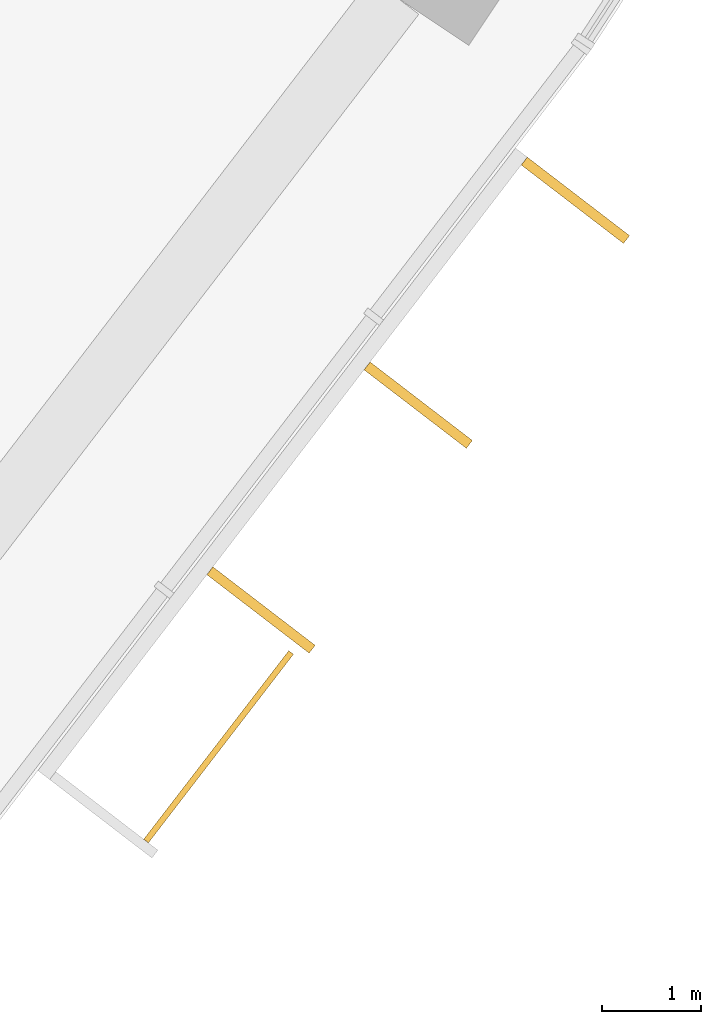
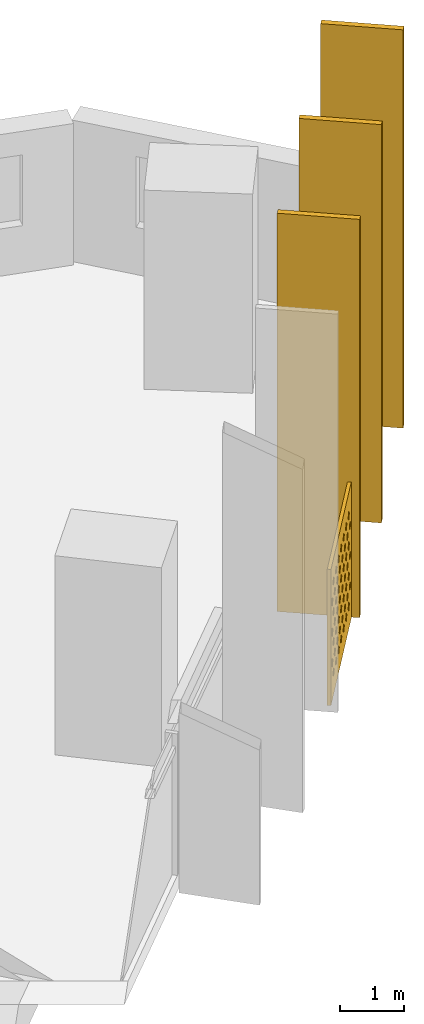
# One storey, part 31 of 31: 4 shading devices.
"""IFC4 building model written with IfcOpenShell, lengths in metres."""

import ifcopenshell
import ifcopenshell.guid

model = None  # the IFC model being written
_history = None  # IfcOwnerHistory: only IFC2X3 demands one
_inside = {}  # id of a spatial element -> (the spatial element, [elements in it])
_under = {}  # id of a project, library or spatial element -> (it, [spatial elements below it])
_declared = {}  # id of a project -> (the project, [libraries it declares])
_typed = {}  # id of a type object -> (the type object, [elements of that type])
_made_of = {}  # id of a material, layer set ... -> (it, [elements and type objects made of it])


def new_model(schema):
    """Start an empty IFC model of exactly this schema.

    Asked for "IFC4X3", IfcOpenShell would pick the latest addendum, in which some entities
    have other attributes; the version numbers below select the first issue.
    IFC2X3 requires an IfcOwnerHistory on every rooted entity: one is made here for all.
    """
    global model, _history
    if schema == "IFC4X3":
        model = ifcopenshell.file(schema_version=(4, 3, 0, 0))
    else:
        model = ifcopenshell.file(schema=schema)
    _inside.clear()
    _under.clear()
    _declared.clear()
    _typed.clear()
    _made_of.clear()
    _history = None
    if model.schema == "IFC2X3":
        org = make("IfcOrganization", Name="unknown")
        user = make(
            "IfcPersonAndOrganization",
            ThePerson=make("IfcPerson", FamilyName="unknown"),
            TheOrganization=org,
        )
        app = make(
            "IfcApplication",
            ApplicationDeveloper=org,
            Version="unknown",
            ApplicationFullName="unknown",
            ApplicationIdentifier="unknown",
        )
        _history = make(
            "IfcOwnerHistory",
            OwningUser=user,
            OwningApplication=app,
            ChangeAction="ADDED",
            CreationDate=0,
        )
    return model


def make(cls, **values):
    """One entity of the class cls with the attributes given. An attribute that is None is left unset."""
    return model.create_entity(
        cls, **{name: value for name, value in values.items() if value is not None}
    )


def rooted(cls, **values):
    """An entity with a GlobalId (a new one), such as an element, a storey or a relation."""
    return make(cls, GlobalId=ifcopenshell.guid.new(), OwnerHistory=_history, **values)


def si_unit(unit_type, name, prefix=None):
    """IfcSIUnit, for example si_unit("LENGTHUNIT", "METRE", prefix="MILLI")."""
    return make("IfcSIUnit", UnitType=unit_type, Prefix=prefix, Name=name)


def assignment(units):
    """IfcUnitAssignment: the units of a project."""
    return None if units is None else make("IfcUnitAssignment", Units=units)


def point(xyz):
    """IfcCartesianPoint."""
    return None if xyz is None else make("IfcCartesianPoint", Coordinates=xyz)


def direction(xyz):
    """IfcDirection."""
    return None if xyz is None else make("IfcDirection", DirectionRatios=xyz)


def frame(location, z_axis=None, x_axis=None):
    """IfcAxis2Placement3D, a coordinate frame: its origin and axes. An axis left out is left unset."""
    return make(
        "IfcAxis2Placement3D",
        Location=point(location),
        Axis=direction(z_axis),
        RefDirection=direction(x_axis),
    )


def frame_2d(location, x_axis=None):
    """IfcAxis2Placement2D, a coordinate frame in the plane: its origin and x axis."""
    return make(
        "IfcAxis2Placement2D", Location=point(location), RefDirection=direction(x_axis)
    )


def origin():
    """The frame at (0, 0, 0) with its axes left unset."""
    return frame((0.0, 0.0, 0.0))


def origin_2d():
    """The frame at (0, 0) in the plane with its x axis left unset."""
    return frame_2d((0.0, 0.0))


def place(relative_to, where):
    """IfcLocalPlacement: puts the frame where relative to a parent placement (None: the world)."""
    return make(
        "IfcLocalPlacement", PlacementRelTo=relative_to, RelativePlacement=where
    )


def context(
    kind, dimensions, precision=None, world=None, true_north=None, identifier=None
):
    """IfcGeometricRepresentationContext, for example the 3D "Model" context."""
    return make(
        "IfcGeometricRepresentationContext",
        ContextIdentifier=identifier,
        ContextType=kind,
        CoordinateSpaceDimension=dimensions,
        Precision=precision,
        WorldCoordinateSystem=world,
        TrueNorth=true_north,
    )


def subcontext(parent, identifier, kind, view, scale=None):
    """IfcGeometricRepresentationSubContext, for example "Body" below "Model"."""
    return make(
        "IfcGeometricRepresentationSubContext",
        ContextIdentifier=identifier,
        ContextType=kind,
        ParentContext=parent,
        TargetScale=scale,
        TargetView=view,
    )


def project(units=None, contexts=None):
    """IfcProject with its units and contexts."""
    return rooted(
        "IfcProject",
        Name="project",
        RepresentationContexts=contexts,
        UnitsInContext=assignment(units),
    )


def spatial(cls, under=None, at=None, **own):
    """A site, building, storey or space (cls), placed at a placement, below another one or the project."""
    s = rooted(cls, ObjectPlacement=at, **own)
    if under is not None:
        _under.setdefault(under.id(), (under, []))[1].append(s)
    return s


def polyline(points):
    """IfcPolyline through the points."""
    return make("IfcPolyline", Points=[point(p) for p in points])


def profile(cls, at=None, kind="AREA", **sizes):
    """A parametric profile (cls). Its sizes go by their IFC names, for example OverallWidth=200.0."""
    return make(cls, ProfileType=kind, Position=at, **sizes)


def rectangle(**sizes):
    """IfcRectangleProfileDef."""
    return profile("IfcRectangleProfileDef", **sizes)


def outline(outer, holes=None, kind="AREA"):
    """IfcArbitraryClosedProfileDef: a profile drawn as a closed curve; with holes, ...WithVoids."""
    if holes is None:
        return make("IfcArbitraryClosedProfileDef", ProfileType=kind, OuterCurve=outer)
    return make(
        "IfcArbitraryProfileDefWithVoids",
        ProfileType=kind,
        OuterCurve=outer,
        InnerCurves=holes,
    )


def extrude(swept, where, along, depth):
    """IfcExtrudedAreaSolid: the profile swept, set in the frame where, extruded along a direction by depth."""
    return make(
        "IfcExtrudedAreaSolid",
        SweptArea=swept,
        Position=where,
        ExtrudedDirection=direction(along),
        Depth=depth,
    )


def shape(context_of_items, identifier, shape_type, items):
    """IfcShapeRepresentation: the items that make up one representation, for example the "Body"."""
    return make(
        "IfcShapeRepresentation",
        ContextOfItems=context_of_items,
        RepresentationIdentifier=identifier,
        RepresentationType=shape_type,
        Items=items,
    )


def material(Name=None, Category=None):
    """IfcMaterial."""
    return make("IfcMaterial", Name=Name, Category=Category)


def material_profile(
    of_material, cross_section, Name=None, Category=None, Priority=None
):
    """IfcMaterialProfile: a cross section and its material."""
    return make(
        "IfcMaterialProfile",
        Name=Name,
        Material=of_material,
        Profile=cross_section,
        Priority=Priority,
        Category=Category,
    )


def profile_set(profiles, Name=None, composite=None):
    """IfcMaterialProfileSet."""
    return make(
        "IfcMaterialProfileSet",
        Name=Name,
        MaterialProfiles=profiles,
        CompositeProfile=composite,
    )


def made_of(thing, what):
    """Note that an element or type object is made of a material, layer set ...; save() writes the relation."""
    if what is not None:
        _made_of.setdefault(what.id(), (what, []))[1].append(thing)
    return thing


def type_object(cls, material=None, **own):
    """A type object (cls), such as IfcWallType, which elements share."""
    return made_of(rooted(cls, **own), material)


def element(
    cls,
    number,
    at=None,
    inside=None,
    cuts=None,
    type_object=None,
    material=None,
    context=None,
    identifier="Body",
    shape_type=None,
    held_by="IfcProductDefinitionShape",
    body=None,
    shapes=None,
    **own,
):
    """One element of the class cls, such as IfcWall. Its Tag is "e" and its number.

    at: its placement. inside: the storey or other place that contains it. cuts: it is an
    opening in that element (IfcRelVoidsElement). A single representation is given by context,
    identifier, shape_type and body (its items); several are given by shapes. held_by: the class
    of the entity that holds the representations. save() writes the other relations.
    """
    e = rooted(cls, Tag="e%d" % number, ObjectPlacement=at, **own)
    if body is not None:
        shapes = [shape(context, identifier, shape_type, body)]
    if shapes is not None:
        e.Representation = make(held_by, Representations=shapes)
    if inside is not None:
        _inside.setdefault(inside.id(), (inside, []))[1].append(e)
    if cuts is not None:
        rooted(
            "IfcRelVoidsElement", RelatingBuildingElement=cuts, RelatedOpeningElement=e
        )
    if type_object is not None:
        _typed.setdefault(type_object.id(), (type_object, []))[1].append(e)
    return made_of(e, material)


def aggregate(whole, parts):
    """IfcRelAggregates: a whole, such as a stair, and the parts it consists of."""
    return rooted("IfcRelAggregates", RelatingObject=whole, RelatedObjects=parts)


def save(model, path):
    """Write the relations noted so far, then the file.

    IfcRelAggregates (storeys below a building ...), IfcRelContainedInSpatialStructure (elements
    in a storey), IfcRelDefinesByType, IfcRelAssociatesMaterial and IfcRelDeclares: one each for
    every whole, place, type object, material and project.
    """
    for whole, parts in _under.values():
        aggregate(whole, parts)
    for where, things in _inside.values():
        rooted(
            "IfcRelContainedInSpatialStructure",
            RelatedElements=things,
            RelatingStructure=where,
        )
    for kind, things in _typed.values():
        rooted("IfcRelDefinesByType", RelatedObjects=things, RelatingType=kind)
    for what, things in _made_of.values():
        rooted("IfcRelAssociatesMaterial", RelatedObjects=things, RelatingMaterial=what)
    for by, libraries in _declared.values():
        rooted("IfcRelDeclares", RelatingContext=by, RelatedDefinitions=libraries)
    model.write(path)


model = new_model("IFC4")

# Units and contexts
model_context = context("Model", 3, precision=1e-05, world=origin(), true_north=direction((0.0, 1.0)))
body_context = subcontext(model_context, "Body", "Model", "MODEL_VIEW")
ifc_project = project(units=[si_unit("LENGTHUNIT", "METRE"), si_unit("AREAUNIT", "SQUARE_METRE"), si_unit("VOLUMEUNIT", "CUBIC_METRE"), si_unit("PLANEANGLEUNIT", "RADIAN"), si_unit("MASSUNIT", "GRAM", prefix="KILO")], contexts=[model_context])

# Site, building, storey
site_placement = place(None, origin())
site = spatial("IfcSite", under=ifc_project, at=site_placement, CompositionType="ELEMENT")
building_placement = place(site_placement, origin())
building = spatial("IfcBuilding", under=site, at=building_placement, Name="Qamariyya Broadcast Tower", CompositionType="ELEMENT")
storey_placement = place(building_placement, frame((0.0, 0.0, 48.10009765625)))
storey = spatial("IfcBuildingStorey", under=building, at=storey_placement, Name="L08", CompositionType="ELEMENT", Elevation=48.10009765625)

# Shading devices
ifc_material_1 = material(Name="Perforated glazed terracotta", Category="masonry")
ifc_material_profile_1 = material_profile(ifc_material_1, outline(polyline([(-1.199951171875, -1.300048828125), (1.199951171875, -1.300048828125), (1.199951171875, 1.300048828125), (-1.199951171875, 1.300048828125), (-1.199951171875, -1.300048828125)]), holes=[polyline([(-0.81494140625, -0.86669921875), (-0.89990234375, -0.78173828125), (-0.985107421875, -0.86669921875), (-0.89990234375, -0.95166015625), (-0.81494140625, -0.86669921875)]), polyline([(-0.514892578125, -0.86669921875), (-0.60009765625, -0.78173828125), (-0.68505859375, -0.86669921875), (-0.60009765625, -0.95166015625), (-0.514892578125, -0.86669921875)]), polyline([(-0.215087890625, -0.86669921875), (-0.300048828125, -0.78173828125), (-0.385009765625, -0.86669921875), (-0.300048828125, -0.95166015625), (-0.215087890625, -0.86669921875)]), polyline([(0.0849609375, -0.86669921875), (0.0, -0.78173828125), (-0.0849609375, -0.86669921875), (0.0, -0.95166015625), (0.0849609375, -0.86669921875)]), polyline([(0.385009765625, -0.86669921875), (0.300048828125, -0.78173828125), (0.215087890625, -0.86669921875), (0.300048828125, -0.95166015625), (0.385009765625, -0.86669921875)]), polyline([(0.68505859375, -0.86669921875), (0.60009765625, -0.78173828125), (0.514892578125, -0.86669921875), (0.60009765625, -0.95166015625), (0.68505859375, -0.86669921875)]), polyline([(0.985107421875, -0.86669921875), (0.89990234375, -0.78173828125), (0.81494140625, -0.86669921875), (0.89990234375, -0.95166015625), (0.985107421875, -0.86669921875)]), polyline([(-0.965087890625, -0.577880859375), (-1.050048828125, -0.49267578125), (-1.135009765625, -0.577880859375), (-1.050048828125, -0.662841796875), (-0.965087890625, -0.577880859375)]), polyline([(-0.6650390625, -0.577880859375), (-0.75, -0.49267578125), (-0.8349609375, -0.577880859375), (-0.75, -0.662841796875), (-0.6650390625, -0.577880859375)]), polyline([(-0.364990234375, -0.577880859375), (-0.449951171875, -0.49267578125), (-0.534912109375, -0.577880859375), (-0.449951171875, -0.662841796875), (-0.364990234375, -0.577880859375)]), polyline([(-0.06494140625, -0.577880859375), (-0.14990234375, -0.49267578125), (-0.235107421875, -0.577880859375), (-0.14990234375, -0.662841796875), (-0.06494140625, -0.577880859375)]), polyline([(0.235107421875, -0.577880859375), (0.14990234375, -0.49267578125), (0.06494140625, -0.577880859375), (0.14990234375, -0.662841796875), (0.235107421875, -0.577880859375)]), polyline([(0.534912109375, -0.577880859375), (0.449951171875, -0.49267578125), (0.364990234375, -0.577880859375), (0.449951171875, -0.662841796875), (0.534912109375, -0.577880859375)]), polyline([(0.8349609375, -0.577880859375), (0.75, -0.49267578125), (0.6650390625, -0.577880859375), (0.75, -0.662841796875), (0.8349609375, -0.577880859375)]), polyline([(1.135009765625, -0.577880859375), (1.050048828125, -0.49267578125), (0.965087890625, -0.577880859375), (1.050048828125, -0.662841796875), (1.135009765625, -0.577880859375)]), polyline([(-0.81494140625, -0.288818359375), (-0.89990234375, -0.203857421875), (-0.985107421875, -0.288818359375), (-0.89990234375, -0.373779296875), (-0.81494140625, -0.288818359375)]), polyline([(-0.514892578125, -0.288818359375), (-0.60009765625, -0.203857421875), (-0.68505859375, -0.288818359375), (-0.60009765625, -0.373779296875), (-0.514892578125, -0.288818359375)]), polyline([(-0.215087890625, -0.288818359375), (-0.300048828125, -0.203857421875), (-0.385009765625, -0.288818359375), (-0.300048828125, -0.373779296875), (-0.215087890625, -0.288818359375)]), polyline([(0.0849609375, -0.288818359375), (0.0, -0.203857421875), (-0.0849609375, -0.288818359375), (0.0, -0.373779296875), (0.0849609375, -0.288818359375)]), polyline([(0.385009765625, -0.288818359375), (0.300048828125, -0.203857421875), (0.215087890625, -0.288818359375), (0.300048828125, -0.373779296875), (0.385009765625, -0.288818359375)]), polyline([(0.68505859375, -0.288818359375), (0.60009765625, -0.203857421875), (0.514892578125, -0.288818359375), (0.60009765625, -0.373779296875), (0.68505859375, -0.288818359375)]), polyline([(0.985107421875, -0.288818359375), (0.89990234375, -0.203857421875), (0.81494140625, -0.288818359375), (0.89990234375, -0.373779296875), (0.985107421875, -0.288818359375)]), polyline([(-0.965087890625, 0.0), (-1.050048828125, 0.0849609375), (-1.135009765625, 0.0), (-1.050048828125, -0.0849609375), (-0.965087890625, 0.0)]), polyline([(-0.6650390625, 0.0), (-0.75, 0.0849609375), (-0.8349609375, 0.0), (-0.75, -0.0849609375), (-0.6650390625, 0.0)]), polyline([(-0.364990234375, 0.0), (-0.449951171875, 0.0849609375), (-0.534912109375, 0.0), (-0.449951171875, -0.0849609375), (-0.364990234375, 0.0)]), polyline([(-0.06494140625, 0.0), (-0.14990234375, 0.0849609375), (-0.235107421875, 0.0), (-0.14990234375, -0.0849609375), (-0.06494140625, 0.0)]), polyline([(0.235107421875, 0.0), (0.14990234375, 0.0849609375), (0.06494140625, 0.0), (0.14990234375, -0.0849609375), (0.235107421875, 0.0)]), polyline([(0.534912109375, 0.0), (0.449951171875, 0.0849609375), (0.364990234375, 0.0), (0.449951171875, -0.0849609375), (0.534912109375, 0.0)]), polyline([(0.8349609375, 0.0), (0.75, 0.0849609375), (0.6650390625, 0.0), (0.75, -0.0849609375), (0.8349609375, 0.0)]), polyline([(1.135009765625, 0.0), (1.050048828125, 0.0849609375), (0.965087890625, 0.0), (1.050048828125, -0.0849609375), (1.135009765625, 0.0)]), polyline([(-0.81494140625, 0.288818359375), (-0.89990234375, 0.373779296875), (-0.985107421875, 0.288818359375), (-0.89990234375, 0.203857421875), (-0.81494140625, 0.288818359375)]), polyline([(-0.514892578125, 0.288818359375), (-0.60009765625, 0.373779296875), (-0.68505859375, 0.288818359375), (-0.60009765625, 0.203857421875), (-0.514892578125, 0.288818359375)]), polyline([(-0.215087890625, 0.288818359375), (-0.300048828125, 0.373779296875), (-0.385009765625, 0.288818359375), (-0.300048828125, 0.203857421875), (-0.215087890625, 0.288818359375)]), polyline([(0.0849609375, 0.288818359375), (0.0, 0.373779296875), (-0.0849609375, 0.288818359375), (0.0, 0.203857421875), (0.0849609375, 0.288818359375)]), polyline([(0.385009765625, 0.288818359375), (0.300048828125, 0.373779296875), (0.215087890625, 0.288818359375), (0.300048828125, 0.203857421875), (0.385009765625, 0.288818359375)]), polyline([(0.68505859375, 0.288818359375), (0.60009765625, 0.373779296875), (0.514892578125, 0.288818359375), (0.60009765625, 0.203857421875), (0.68505859375, 0.288818359375)]), polyline([(0.985107421875, 0.288818359375), (0.89990234375, 0.373779296875), (0.81494140625, 0.288818359375), (0.89990234375, 0.203857421875), (0.985107421875, 0.288818359375)]), polyline([(-0.965087890625, 0.577880859375), (-1.050048828125, 0.662841796875), (-1.135009765625, 0.577880859375), (-1.050048828125, 0.49267578125), (-0.965087890625, 0.577880859375)]), polyline([(-0.6650390625, 0.577880859375), (-0.75, 0.662841796875), (-0.8349609375, 0.577880859375), (-0.75, 0.49267578125), (-0.6650390625, 0.577880859375)]), polyline([(-0.364990234375, 0.577880859375), (-0.449951171875, 0.662841796875), (-0.534912109375, 0.577880859375), (-0.449951171875, 0.49267578125), (-0.364990234375, 0.577880859375)]), polyline([(-0.06494140625, 0.577880859375), (-0.14990234375, 0.662841796875), (-0.235107421875, 0.577880859375), (-0.14990234375, 0.49267578125), (-0.06494140625, 0.577880859375)]), polyline([(0.235107421875, 0.577880859375), (0.14990234375, 0.662841796875), (0.06494140625, 0.577880859375), (0.14990234375, 0.49267578125), (0.235107421875, 0.577880859375)]), polyline([(0.534912109375, 0.577880859375), (0.449951171875, 0.662841796875), (0.364990234375, 0.577880859375), (0.449951171875, 0.49267578125), (0.534912109375, 0.577880859375)]), polyline([(0.8349609375, 0.577880859375), (0.75, 0.662841796875), (0.6650390625, 0.577880859375), (0.75, 0.49267578125), (0.8349609375, 0.577880859375)]), polyline([(1.135009765625, 0.577880859375), (1.050048828125, 0.662841796875), (0.965087890625, 0.577880859375), (1.050048828125, 0.49267578125), (1.135009765625, 0.577880859375)]), polyline([(-0.81494140625, 0.86669921875), (-0.89990234375, 0.95166015625), (-0.985107421875, 0.86669921875), (-0.89990234375, 0.78173828125), (-0.81494140625, 0.86669921875)]), polyline([(-0.514892578125, 0.86669921875), (-0.60009765625, 0.95166015625), (-0.68505859375, 0.86669921875), (-0.60009765625, 0.78173828125), (-0.514892578125, 0.86669921875)]), polyline([(-0.215087890625, 0.86669921875), (-0.300048828125, 0.95166015625), (-0.385009765625, 0.86669921875), (-0.300048828125, 0.78173828125), (-0.215087890625, 0.86669921875)]), polyline([(0.0849609375, 0.86669921875), (0.0, 0.95166015625), (-0.0849609375, 0.86669921875), (0.0, 0.78173828125), (0.0849609375, 0.86669921875)]), polyline([(0.385009765625, 0.86669921875), (0.300048828125, 0.95166015625), (0.215087890625, 0.86669921875), (0.300048828125, 0.78173828125), (0.385009765625, 0.86669921875)]), polyline([(0.68505859375, 0.86669921875), (0.60009765625, 0.95166015625), (0.514892578125, 0.86669921875), (0.60009765625, 0.78173828125), (0.68505859375, 0.86669921875)]), polyline([(0.985107421875, 0.86669921875), (0.89990234375, 0.95166015625), (0.81494140625, 0.86669921875), (0.89990234375, 0.78173828125), (0.985107421875, 0.86669921875)])]))
ifc_profile_set_1 = profile_set([ifc_material_profile_1], Name="Perforated glazed terracotta")
shading_device_type_1 = type_object("IfcShadingDeviceType", Name="Perforated terracotta screen 2400 x 2600", PredefinedType="USERDEFINED", material=ifc_profile_set_1)
shading_device_placement = place(storey_placement, frame((62.4453125, -51.26513671875, 1.349853515625), z_axis=(0.792623989105, -0.60971076085, 0.0), x_axis=(0.60971076085, 0.792623989105, 0.0)))
element("IfcShadingDevice", 1, at=shading_device_placement, inside=storey, type_object=shading_device_type_1, Name="e-scr-L08-15-0", ObjectType="SCREEN", PredefinedType="USERDEFINED", context=body_context, shape_type="SweptSolid", body=[
    extrude(outline(polyline([(-1.199951171875, -1.300048828125), (1.199951171875, -1.300048828125), (1.199951171875, 1.300048828125), (-1.199951171875, 1.300048828125), (-1.199951171875, -1.300048828125)]), holes=[polyline([(-0.81494140625, -0.86669921875), (-0.89990234375, -0.78173828125), (-0.985107421875, -0.86669921875), (-0.89990234375, -0.95166015625), (-0.81494140625, -0.86669921875)]), polyline([(-0.514892578125, -0.86669921875), (-0.60009765625, -0.78173828125), (-0.68505859375, -0.86669921875), (-0.60009765625, -0.95166015625), (-0.514892578125, -0.86669921875)]), polyline([(-0.215087890625, -0.86669921875), (-0.300048828125, -0.78173828125), (-0.385009765625, -0.86669921875), (-0.300048828125, -0.95166015625), (-0.215087890625, -0.86669921875)]), polyline([(0.0849609375, -0.86669921875), (0.0, -0.78173828125), (-0.0849609375, -0.86669921875), (0.0, -0.95166015625), (0.0849609375, -0.86669921875)]), polyline([(0.385009765625, -0.86669921875), (0.300048828125, -0.78173828125), (0.215087890625, -0.86669921875), (0.300048828125, -0.95166015625), (0.385009765625, -0.86669921875)]), polyline([(0.68505859375, -0.86669921875), (0.60009765625, -0.78173828125), (0.514892578125, -0.86669921875), (0.60009765625, -0.95166015625), (0.68505859375, -0.86669921875)]), polyline([(0.985107421875, -0.86669921875), (0.89990234375, -0.78173828125), (0.81494140625, -0.86669921875), (0.89990234375, -0.95166015625), (0.985107421875, -0.86669921875)]), polyline([(-0.965087890625, -0.577880859375), (-1.050048828125, -0.49267578125), (-1.135009765625, -0.577880859375), (-1.050048828125, -0.662841796875), (-0.965087890625, -0.577880859375)]), polyline([(-0.6650390625, -0.577880859375), (-0.75, -0.49267578125), (-0.8349609375, -0.577880859375), (-0.75, -0.662841796875), (-0.6650390625, -0.577880859375)]), polyline([(-0.364990234375, -0.577880859375), (-0.449951171875, -0.49267578125), (-0.534912109375, -0.577880859375), (-0.449951171875, -0.662841796875), (-0.364990234375, -0.577880859375)]), polyline([(-0.06494140625, -0.577880859375), (-0.14990234375, -0.49267578125), (-0.235107421875, -0.577880859375), (-0.14990234375, -0.662841796875), (-0.06494140625, -0.577880859375)]), polyline([(0.235107421875, -0.577880859375), (0.14990234375, -0.49267578125), (0.06494140625, -0.577880859375), (0.14990234375, -0.662841796875), (0.235107421875, -0.577880859375)]), polyline([(0.534912109375, -0.577880859375), (0.449951171875, -0.49267578125), (0.364990234375, -0.577880859375), (0.449951171875, -0.662841796875), (0.534912109375, -0.577880859375)]), polyline([(0.8349609375, -0.577880859375), (0.75, -0.49267578125), (0.6650390625, -0.577880859375), (0.75, -0.662841796875), (0.8349609375, -0.577880859375)]), polyline([(1.135009765625, -0.577880859375), (1.050048828125, -0.49267578125), (0.965087890625, -0.577880859375), (1.050048828125, -0.662841796875), (1.135009765625, -0.577880859375)]), polyline([(-0.81494140625, -0.288818359375), (-0.89990234375, -0.203857421875), (-0.985107421875, -0.288818359375), (-0.89990234375, -0.373779296875), (-0.81494140625, -0.288818359375)]), polyline([(-0.514892578125, -0.288818359375), (-0.60009765625, -0.203857421875), (-0.68505859375, -0.288818359375), (-0.60009765625, -0.373779296875), (-0.514892578125, -0.288818359375)]), polyline([(-0.215087890625, -0.288818359375), (-0.300048828125, -0.203857421875), (-0.385009765625, -0.288818359375), (-0.300048828125, -0.373779296875), (-0.215087890625, -0.288818359375)]), polyline([(0.0849609375, -0.288818359375), (0.0, -0.203857421875), (-0.0849609375, -0.288818359375), (0.0, -0.373779296875), (0.0849609375, -0.288818359375)]), polyline([(0.385009765625, -0.288818359375), (0.300048828125, -0.203857421875), (0.215087890625, -0.288818359375), (0.300048828125, -0.373779296875), (0.385009765625, -0.288818359375)]), polyline([(0.68505859375, -0.288818359375), (0.60009765625, -0.203857421875), (0.514892578125, -0.288818359375), (0.60009765625, -0.373779296875), (0.68505859375, -0.288818359375)]), polyline([(0.985107421875, -0.288818359375), (0.89990234375, -0.203857421875), (0.81494140625, -0.288818359375), (0.89990234375, -0.373779296875), (0.985107421875, -0.288818359375)]), polyline([(-0.965087890625, 0.0), (-1.050048828125, 0.0849609375), (-1.135009765625, 0.0), (-1.050048828125, -0.0849609375), (-0.965087890625, 0.0)]), polyline([(-0.6650390625, 0.0), (-0.75, 0.0849609375), (-0.8349609375, 0.0), (-0.75, -0.0849609375), (-0.6650390625, 0.0)]), polyline([(-0.364990234375, 0.0), (-0.449951171875, 0.0849609375), (-0.534912109375, 0.0), (-0.449951171875, -0.0849609375), (-0.364990234375, 0.0)]), polyline([(-0.06494140625, 0.0), (-0.14990234375, 0.0849609375), (-0.235107421875, 0.0), (-0.14990234375, -0.0849609375), (-0.06494140625, 0.0)]), polyline([(0.235107421875, 0.0), (0.14990234375, 0.0849609375), (0.06494140625, 0.0), (0.14990234375, -0.0849609375), (0.235107421875, 0.0)]), polyline([(0.534912109375, 0.0), (0.449951171875, 0.0849609375), (0.364990234375, 0.0), (0.449951171875, -0.0849609375), (0.534912109375, 0.0)]), polyline([(0.8349609375, 0.0), (0.75, 0.0849609375), (0.6650390625, 0.0), (0.75, -0.0849609375), (0.8349609375, 0.0)]), polyline([(1.135009765625, 0.0), (1.050048828125, 0.0849609375), (0.965087890625, 0.0), (1.050048828125, -0.0849609375), (1.135009765625, 0.0)]), polyline([(-0.81494140625, 0.288818359375), (-0.89990234375, 0.373779296875), (-0.985107421875, 0.288818359375), (-0.89990234375, 0.203857421875), (-0.81494140625, 0.288818359375)]), polyline([(-0.514892578125, 0.288818359375), (-0.60009765625, 0.373779296875), (-0.68505859375, 0.288818359375), (-0.60009765625, 0.203857421875), (-0.514892578125, 0.288818359375)]), polyline([(-0.215087890625, 0.288818359375), (-0.300048828125, 0.373779296875), (-0.385009765625, 0.288818359375), (-0.300048828125, 0.203857421875), (-0.215087890625, 0.288818359375)]), polyline([(0.0849609375, 0.288818359375), (0.0, 0.373779296875), (-0.0849609375, 0.288818359375), (0.0, 0.203857421875), (0.0849609375, 0.288818359375)]), polyline([(0.385009765625, 0.288818359375), (0.300048828125, 0.373779296875), (0.215087890625, 0.288818359375), (0.300048828125, 0.203857421875), (0.385009765625, 0.288818359375)]), polyline([(0.68505859375, 0.288818359375), (0.60009765625, 0.373779296875), (0.514892578125, 0.288818359375), (0.60009765625, 0.203857421875), (0.68505859375, 0.288818359375)]), polyline([(0.985107421875, 0.288818359375), (0.89990234375, 0.373779296875), (0.81494140625, 0.288818359375), (0.89990234375, 0.203857421875), (0.985107421875, 0.288818359375)]), polyline([(-0.965087890625, 0.577880859375), (-1.050048828125, 0.662841796875), (-1.135009765625, 0.577880859375), (-1.050048828125, 0.49267578125), (-0.965087890625, 0.577880859375)]), polyline([(-0.6650390625, 0.577880859375), (-0.75, 0.662841796875), (-0.8349609375, 0.577880859375), (-0.75, 0.49267578125), (-0.6650390625, 0.577880859375)]), polyline([(-0.364990234375, 0.577880859375), (-0.449951171875, 0.662841796875), (-0.534912109375, 0.577880859375), (-0.449951171875, 0.49267578125), (-0.364990234375, 0.577880859375)]), polyline([(-0.06494140625, 0.577880859375), (-0.14990234375, 0.662841796875), (-0.235107421875, 0.577880859375), (-0.14990234375, 0.49267578125), (-0.06494140625, 0.577880859375)]), polyline([(0.235107421875, 0.577880859375), (0.14990234375, 0.662841796875), (0.06494140625, 0.577880859375), (0.14990234375, 0.49267578125), (0.235107421875, 0.577880859375)]), polyline([(0.534912109375, 0.577880859375), (0.449951171875, 0.662841796875), (0.364990234375, 0.577880859375), (0.449951171875, 0.49267578125), (0.534912109375, 0.577880859375)]), polyline([(0.8349609375, 0.577880859375), (0.75, 0.662841796875), (0.6650390625, 0.577880859375), (0.75, 0.49267578125), (0.8349609375, 0.577880859375)]), polyline([(1.135009765625, 0.577880859375), (1.050048828125, 0.662841796875), (0.965087890625, 0.577880859375), (1.050048828125, 0.49267578125), (1.135009765625, 0.577880859375)]), polyline([(-0.81494140625, 0.86669921875), (-0.89990234375, 0.95166015625), (-0.985107421875, 0.86669921875), (-0.89990234375, 0.78173828125), (-0.81494140625, 0.86669921875)]), polyline([(-0.514892578125, 0.86669921875), (-0.60009765625, 0.95166015625), (-0.68505859375, 0.86669921875), (-0.60009765625, 0.78173828125), (-0.514892578125, 0.86669921875)]), polyline([(-0.215087890625, 0.86669921875), (-0.300048828125, 0.95166015625), (-0.385009765625, 0.86669921875), (-0.300048828125, 0.78173828125), (-0.215087890625, 0.86669921875)]), polyline([(0.0849609375, 0.86669921875), (0.0, 0.95166015625), (-0.0849609375, 0.86669921875), (0.0, 0.78173828125), (0.0849609375, 0.86669921875)]), polyline([(0.385009765625, 0.86669921875), (0.300048828125, 0.95166015625), (0.215087890625, 0.86669921875), (0.300048828125, 0.78173828125), (0.385009765625, 0.86669921875)]), polyline([(0.68505859375, 0.86669921875), (0.60009765625, 0.95166015625), (0.514892578125, 0.86669921875), (0.60009765625, 0.78173828125), (0.68505859375, 0.86669921875)]), polyline([(0.985107421875, 0.86669921875), (0.89990234375, 0.95166015625), (0.81494140625, 0.86669921875), (0.89990234375, 0.78173828125), (0.985107421875, 0.86669921875)])]), origin(), (0.0, 0.0, 1.0), 0.06005859375),
])
ifc_material_2 = material(Name="Glazed terracotta", Category="masonry")
ifc_material_profile_2 = material_profile(ifc_material_2, rectangle(XDim=1.300048828125, YDim=0.10009765625, at=origin_2d()))
ifc_profile_set_2 = profile_set([ifc_material_profile_2], Name="Glazed terracotta")
shading_device_type_2 = type_object("IfcShadingDeviceType", Name="Terracotta fin 100 x 1300", PredefinedType="USERDEFINED", material=ifc_profile_set_2)
for number, where, z_axis, x_axis, name in (
    (2, (62.897216796875, -49.904296875, 0.0), (0.0, 0.0, 1.0), (0.793353340291, -0.608761429009, 0.0), "e-fin-L08-15-1"),
    (3, (64.48291015625, -47.837890625, 0.0), (0.0, 0.0, 1.0), (0.793353340291, -0.608761429009, 0.0), "e-fin-L08-15-2"),
    (4, (66.068359375, -45.771484375, 0.0), (0.0, 0.0, 1.0), (0.793353340291, -0.608761429009, 0.0), "e-fin-L08-15-3"),
):
    element("IfcShadingDevice", number, at=place(storey_placement, frame(where, z_axis=z_axis, x_axis=x_axis)), inside=storey, type_object=shading_device_type_2, Name=name, ObjectType="FIN", PredefinedType="USERDEFINED", context=body_context, shape_type="SweptSolid", body=[
        extrude(rectangle(XDim=1.300048828125, YDim=0.10009765625, at=origin_2d()), origin(), (0.0, 0.0, 1.0), 7.599853515625),
    ])

save(model, "model.ifc")
